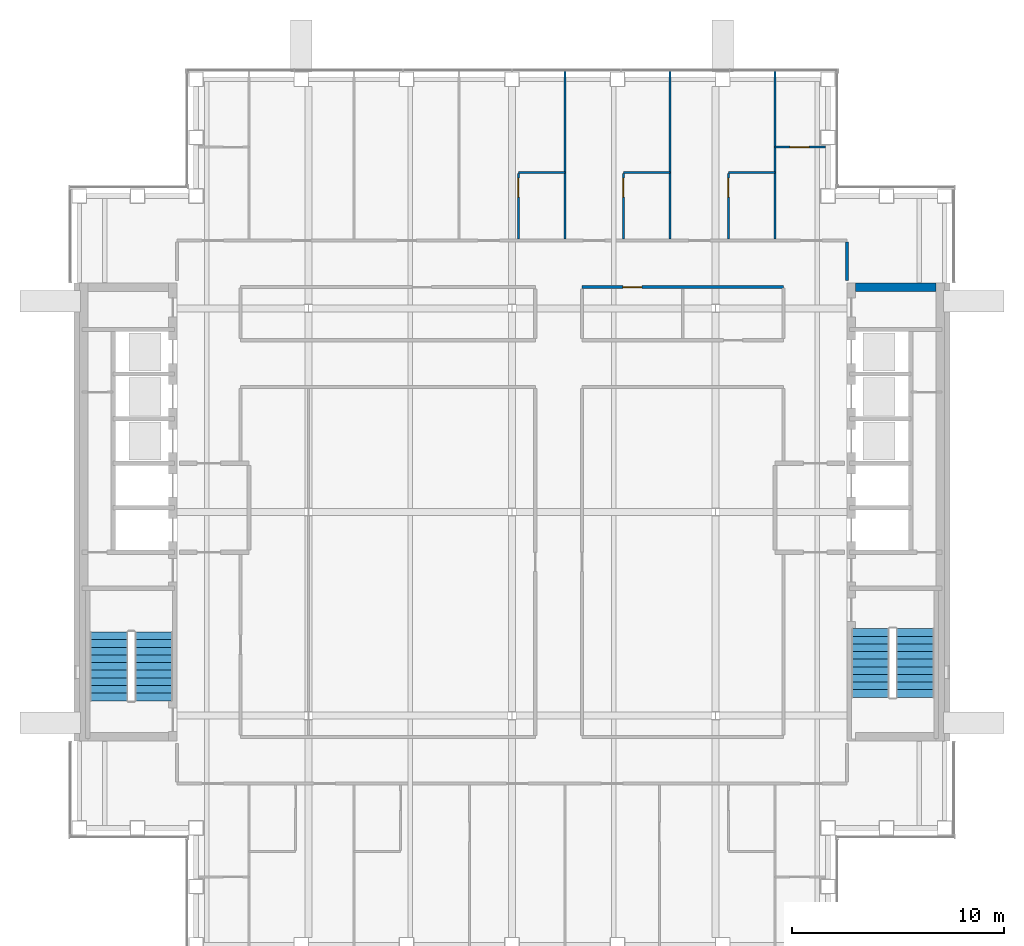
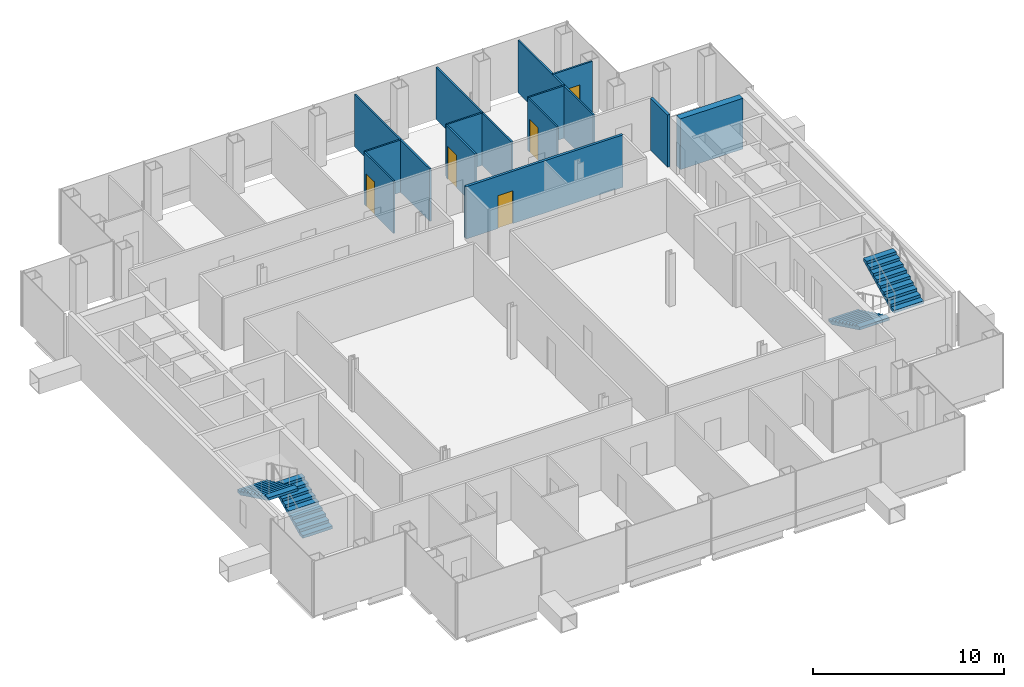
# One storey, part 12 of 14: 13 walls, 5 doors, 4 stair flights, 5 openings, 2 elements without a shape of their own.
"""IFC4 building model written with IfcOpenShell, lengths in metres."""

import ifcopenshell
import ifcopenshell.guid

model = None  # the IFC model being written
_history = None  # IfcOwnerHistory: only IFC2X3 demands one
_inside = {}  # id of a spatial element -> (the spatial element, [elements in it])
_under = {}  # id of a project, library or spatial element -> (it, [spatial elements below it])
_declared = {}  # id of a project -> (the project, [libraries it declares])
_typed = {}  # id of a type object -> (the type object, [elements of that type])
_made_of = {}  # id of a material, layer set ... -> (it, [elements and type objects made of it])


def new_model(schema):
    """Start an empty IFC model of exactly this schema.

    Asked for "IFC4X3", IfcOpenShell would pick the latest addendum, in which some entities
    have other attributes; the version numbers below select the first issue.
    IFC2X3 requires an IfcOwnerHistory on every rooted entity: one is made here for all.
    """
    global model, _history
    if schema == "IFC4X3":
        model = ifcopenshell.file(schema_version=(4, 3, 0, 0))
    else:
        model = ifcopenshell.file(schema=schema)
    _inside.clear()
    _under.clear()
    _declared.clear()
    _typed.clear()
    _made_of.clear()
    _history = None
    if model.schema == "IFC2X3":
        org = make("IfcOrganization", Name="unknown")
        user = make(
            "IfcPersonAndOrganization",
            ThePerson=make("IfcPerson", FamilyName="unknown"),
            TheOrganization=org,
        )
        app = make(
            "IfcApplication",
            ApplicationDeveloper=org,
            Version="unknown",
            ApplicationFullName="unknown",
            ApplicationIdentifier="unknown",
        )
        _history = make(
            "IfcOwnerHistory",
            OwningUser=user,
            OwningApplication=app,
            ChangeAction="ADDED",
            CreationDate=0,
        )
    return model


def make(cls, **values):
    """One entity of the class cls with the attributes given. An attribute that is None is left unset."""
    return model.create_entity(
        cls, **{name: value for name, value in values.items() if value is not None}
    )


def rooted(cls, **values):
    """An entity with a GlobalId (a new one), such as an element, a storey or a relation."""
    return make(cls, GlobalId=ifcopenshell.guid.new(), OwnerHistory=_history, **values)


def si_unit(unit_type, name, prefix=None):
    """IfcSIUnit, for example si_unit("LENGTHUNIT", "METRE", prefix="MILLI")."""
    return make("IfcSIUnit", UnitType=unit_type, Prefix=prefix, Name=name)


def assignment(units):
    """IfcUnitAssignment: the units of a project."""
    return None if units is None else make("IfcUnitAssignment", Units=units)


def point(xyz):
    """IfcCartesianPoint."""
    return None if xyz is None else make("IfcCartesianPoint", Coordinates=xyz)


def direction(xyz):
    """IfcDirection."""
    return None if xyz is None else make("IfcDirection", DirectionRatios=xyz)


def frame(location, z_axis=None, x_axis=None):
    """IfcAxis2Placement3D, a coordinate frame: its origin and axes. An axis left out is left unset."""
    return make(
        "IfcAxis2Placement3D",
        Location=point(location),
        Axis=direction(z_axis),
        RefDirection=direction(x_axis),
    )


def frame_2d(location, x_axis=None):
    """IfcAxis2Placement2D, a coordinate frame in the plane: its origin and x axis."""
    return make(
        "IfcAxis2Placement2D", Location=point(location), RefDirection=direction(x_axis)
    )


def origin():
    """The frame at (0, 0, 0) with its axes left unset."""
    return frame((0.0, 0.0, 0.0))


def place(relative_to, where):
    """IfcLocalPlacement: puts the frame where relative to a parent placement (None: the world)."""
    return make(
        "IfcLocalPlacement", PlacementRelTo=relative_to, RelativePlacement=where
    )


def context(
    kind, dimensions, precision=None, world=None, true_north=None, identifier=None
):
    """IfcGeometricRepresentationContext, for example the 3D "Model" context."""
    return make(
        "IfcGeometricRepresentationContext",
        ContextIdentifier=identifier,
        ContextType=kind,
        CoordinateSpaceDimension=dimensions,
        Precision=precision,
        WorldCoordinateSystem=world,
        TrueNorth=true_north,
    )


def subcontext(parent, identifier, kind, view, scale=None):
    """IfcGeometricRepresentationSubContext, for example "Body" below "Model"."""
    return make(
        "IfcGeometricRepresentationSubContext",
        ContextIdentifier=identifier,
        ContextType=kind,
        ParentContext=parent,
        TargetScale=scale,
        TargetView=view,
    )


def project(units=None, contexts=None):
    """IfcProject with its units and contexts."""
    return rooted(
        "IfcProject",
        Name="project",
        RepresentationContexts=contexts,
        UnitsInContext=assignment(units),
    )


def spatial(cls, under=None, at=None, **own):
    """A site, building, storey or space (cls), placed at a placement, below another one or the project."""
    s = rooted(cls, ObjectPlacement=at, **own)
    if under is not None:
        _under.setdefault(under.id(), (under, []))[1].append(s)
    return s


def polyline(points):
    """IfcPolyline through the points."""
    return make("IfcPolyline", Points=[point(p) for p in points])


def profile(cls, at=None, kind="AREA", **sizes):
    """A parametric profile (cls). Its sizes go by their IFC names, for example OverallWidth=200.0."""
    return make(cls, ProfileType=kind, Position=at, **sizes)


def rectangle(**sizes):
    """IfcRectangleProfileDef."""
    return profile("IfcRectangleProfileDef", **sizes)


def outline(outer, holes=None, kind="AREA"):
    """IfcArbitraryClosedProfileDef: a profile drawn as a closed curve; with holes, ...WithVoids."""
    if holes is None:
        return make("IfcArbitraryClosedProfileDef", ProfileType=kind, OuterCurve=outer)
    return make(
        "IfcArbitraryProfileDefWithVoids",
        ProfileType=kind,
        OuterCurve=outer,
        InnerCurves=holes,
    )


def extrude(swept, where, along, depth):
    """IfcExtrudedAreaSolid: the profile swept, set in the frame where, extruded along a direction by depth."""
    return make(
        "IfcExtrudedAreaSolid",
        SweptArea=swept,
        Position=where,
        ExtrudedDirection=direction(along),
        Depth=depth,
    )


def shape(context_of_items, identifier, shape_type, items):
    """IfcShapeRepresentation: the items that make up one representation, for example the "Body"."""
    return make(
        "IfcShapeRepresentation",
        ContextOfItems=context_of_items,
        RepresentationIdentifier=identifier,
        RepresentationType=shape_type,
        Items=items,
    )


def material(Name=None, Category=None):
    """IfcMaterial."""
    return make("IfcMaterial", Name=Name, Category=Category)


def layer(
    of_material, thickness, ventilated=None, Name=None, Category=None, Priority=None
):
    """IfcMaterialLayer: one layer of a wall or slab, of a material (None: an air gap)."""
    return make(
        "IfcMaterialLayer",
        Material=of_material,
        LayerThickness=thickness,
        IsVentilated=ventilated,
        Name=Name,
        Category=Category,
        Priority=Priority,
    )


def layer_set(layers, Name=None):
    """IfcMaterialLayerSet."""
    return make("IfcMaterialLayerSet", MaterialLayers=layers, LayerSetName=Name)


def made_of(thing, what):
    """Note that an element or type object is made of a material, layer set ...; save() writes the relation."""
    if what is not None:
        _made_of.setdefault(what.id(), (what, []))[1].append(thing)
    return thing


def type_object(cls, material=None, **own):
    """A type object (cls), such as IfcWallType, which elements share."""
    return made_of(rooted(cls, **own), material)


def element(
    cls,
    number,
    at=None,
    inside=None,
    cuts=None,
    type_object=None,
    material=None,
    context=None,
    identifier="Body",
    shape_type=None,
    held_by="IfcProductDefinitionShape",
    body=None,
    shapes=None,
    **own,
):
    """One element of the class cls, such as IfcWall. Its Tag is "e" and its number.

    at: its placement. inside: the storey or other place that contains it. cuts: it is an
    opening in that element (IfcRelVoidsElement). A single representation is given by context,
    identifier, shape_type and body (its items); several are given by shapes. held_by: the class
    of the entity that holds the representations. save() writes the other relations.
    """
    e = rooted(cls, Tag="e%d" % number, ObjectPlacement=at, **own)
    if body is not None:
        shapes = [shape(context, identifier, shape_type, body)]
    if shapes is not None:
        e.Representation = make(held_by, Representations=shapes)
    if inside is not None:
        _inside.setdefault(inside.id(), (inside, []))[1].append(e)
    if cuts is not None:
        rooted(
            "IfcRelVoidsElement", RelatingBuildingElement=cuts, RelatedOpeningElement=e
        )
    if type_object is not None:
        _typed.setdefault(type_object.id(), (type_object, []))[1].append(e)
    return made_of(e, material)


def fill(opening, filler):
    """IfcRelFillsElement: the door or window that sits in an opening."""
    return rooted(
        "IfcRelFillsElement",
        RelatingOpeningElement=opening,
        RelatedBuildingElement=filler,
    )


def aggregate(whole, parts):
    """IfcRelAggregates: a whole, such as a stair, and the parts it consists of."""
    return rooted("IfcRelAggregates", RelatingObject=whole, RelatedObjects=parts)


def save(model, path):
    """Write the relations noted so far, then the file.

    IfcRelAggregates (storeys below a building ...), IfcRelContainedInSpatialStructure (elements
    in a storey), IfcRelDefinesByType, IfcRelAssociatesMaterial and IfcRelDeclares: one each for
    every whole, place, type object, material and project.
    """
    for whole, parts in _under.values():
        aggregate(whole, parts)
    for where, things in _inside.values():
        rooted(
            "IfcRelContainedInSpatialStructure",
            RelatedElements=things,
            RelatingStructure=where,
        )
    for kind, things in _typed.values():
        rooted("IfcRelDefinesByType", RelatedObjects=things, RelatingType=kind)
    for what, things in _made_of.values():
        rooted("IfcRelAssociatesMaterial", RelatedObjects=things, RelatingMaterial=what)
    for by, libraries in _declared.values():
        rooted("IfcRelDeclares", RelatingContext=by, RelatedDefinitions=libraries)
    model.write(path)


model = new_model("IFC4")

# Units and contexts
model_context = context("Model", 3, precision=1e-05, world=origin(), true_north=direction((0.0, 1.0)))
body_context = subcontext(model_context, "Body", "Model", "MODEL_VIEW")
ifc_project = project(units=[si_unit("LENGTHUNIT", "METRE"), si_unit("AREAUNIT", "SQUARE_METRE"), si_unit("VOLUMEUNIT", "CUBIC_METRE"), si_unit("PLANEANGLEUNIT", "RADIAN"), si_unit("MASSUNIT", "GRAM", prefix="KILO")], contexts=[model_context])

# Site, building, storey
site_placement = place(None, origin())
site = spatial("IfcSite", under=ifc_project, at=site_placement, CompositionType="ELEMENT")
building_placement = place(site_placement, origin())
building = spatial("IfcBuilding", under=site, at=building_placement, Name="Cobrizo Arcos Hotel Tower", CompositionType="ELEMENT")
storey_placement = place(building_placement, frame((0.0, 0.0, 208.5)))
storey = spatial("IfcBuildingStorey", under=building, at=storey_placement, Name="L54", CompositionType="ELEMENT", Elevation=208.5)

# Wall, opening, door
ifc_material_1 = material(Name="Gypsum board partition")
ifc_layer_1 = layer(ifc_material_1, 0.14990234375)
ifc_layer_set_1 = layer_set([ifc_layer_1], Name="Corridor wall EI 60 150")
wall_type_1 = type_object("IfcWallType", Name="Corridor wall EI 60 150", PredefinedType="PARTITIONING", material=ifc_layer_set_1)
wall_1_placement = place(storey_placement, frame((3.300048828125, 10.60009765625, 0.0), z_axis=(0.0, 0.0, 1.0), x_axis=(1.0, 0.0, 0.0)))
wall_1 = element("IfcWall", 1, at=wall_1_placement, inside=storey, type_object=wall_type_1, Name="Partition 034", PredefinedType="PARTITIONING", context=body_context, shape_type="SweptSolid", body=[
    extrude(rectangle(XDim=9.5, YDim=0.14990234375, at=frame_2d((4.75, 0.0))), origin(), (0.0, 0.0, 1.0), 3.35009765625),
])
opening_1_placement = place(wall_1_placement, frame((1.925048828125, 0.0, 0.0)))
opening_1 = element("IfcOpeningElement", 2, at=opening_1_placement, cuts=wall_1, Name="Opening ED-12", PredefinedType="OPENING", context=body_context, shape_type="SweptSolid", body=[
    extrude(rectangle(XDim=0.89990234375, YDim=2.10009765625, at=frame_2d((0.449951171875, 1.050048828125))), frame((0.0, 0.0869140625, 0.0), z_axis=(0.0, -1.0, 0.0), x_axis=(1.0, 0.0, 0.0)), (0.0, 0.0, 1.0), 0.173828125),
])
ifc_material_2 = material(Name="Timber door leaf", Category="wood")
door_type = type_object("IfcDoorType", Name="En-suite door 900x2100", OperationType="SINGLE_SWING_LEFT", PredefinedType="DOOR", material=ifc_material_2)
door_1_placement = place(opening_1_placement, origin())
door_1 = element("IfcDoor", 3, at=door_1_placement, inside=storey, type_object=door_type, Name="Door ED-12", OperationType="SINGLE_SWING_RIGHT", OverallHeight=2.10009765625, OverallWidth=0.89990234375, PredefinedType="DOOR", context=body_context, shape_type="SweptSolid", body=[
    extrude(rectangle(XDim=0.89990234375, YDim=2.10009765625, at=frame_2d((0.449951171875, 1.050048828125))), frame((0.0, 0.02490234375, 0.0), z_axis=(0.0, -1.0, 0.0), x_axis=(1.0, 0.0, 0.0)), (0.0, 0.0, 1.0), 0.050048828125),
])
fill(opening_1, door_1)

# Walls
wall_2_placement = place(storey_placement, frame((15.800048828125, 10.919921875, 0.0), z_axis=(0.0, 0.0, 1.0), x_axis=(0.0, 1.0, 0.0)))
element("IfcWall", 4, at=wall_2_placement, inside=storey, type_object=wall_type_1, Name="Partition 082", PredefinedType="PARTITIONING", context=body_context, shape_type="SweptSolid", body=[
    extrude(rectangle(XDim=1.80517578125, YDim=0.14990234375, at=frame_2d((0.902587890625, 0.0))), origin(), (0.0, 0.0, 1.0), 3.35009765625),
])
ifc_layer_2 = layer(ifc_material_1, 0.10009765625)
ifc_layer_set_2 = layer_set([ifc_layer_2], Name="Partition EI 30 100")
wall_type_2 = type_object("IfcWallType", Name="Partition EI 30 100", PredefinedType="PARTITIONING", material=ifc_layer_set_2)
for number, where, z_axis, x_axis, name in (
    (5, (0.300048828125, 16.0, 0.0), (0.0, 0.0, 1.0), (1.0, 0.0, 0.0), "Partition 036"),
    (6, (5.25, 16.0, 0.0), (0.0, 0.0, 1.0), (1.0, 0.0, 0.0), "Partition 037"),
    (7, (10.199951171875, 16.0, 0.0), (0.0, 0.0, 1.0), (1.0, 0.0, 0.0), "Partition 038"),
):
    element("IfcWall", number, at=place(storey_placement, frame(where, z_axis=z_axis, x_axis=x_axis)), inside=storey, type_object=wall_type_2, Name=name, PredefinedType="PARTITIONING", context=body_context, shape_type="SweptSolid", body=[
        extrude(rectangle(XDim=2.199951171875, YDim=0.10009765625, at=frame_2d((1.10009765625, 0.0))), origin(), (0.0, 0.0, 1.0), 3.35009765625),
    ])

# Wall, opening, door
wall_3_placement = place(storey_placement, frame((12.39990234375, 17.199951171875, 0.0), z_axis=(0.0, 0.0, 1.0), x_axis=(1.0, 0.0, 0.0)))
wall_3 = element("IfcWall", 8, at=wall_3_placement, inside=storey, type_object=wall_type_2, Name="Partition 040", PredefinedType="PARTITIONING", context=body_context, shape_type="SweptSolid", body=[
    extrude(rectangle(XDim=2.380126953125, YDim=0.10009765625, at=frame_2d((1.18994140625, 0.0))), origin(), (0.0, 0.0, 1.0), 3.35009765625),
])
opening_2_placement = place(wall_3_placement, frame((0.705078125, 0.0, 0.0)))
opening_2 = element("IfcOpeningElement", 9, at=opening_2_placement, cuts=wall_3, Name="Opening ED-11", PredefinedType="OPENING", context=body_context, shape_type="SweptSolid", body=[
    extrude(rectangle(XDim=0.89990234375, YDim=2.10009765625, at=frame_2d((0.449951171875, 1.050048828125))), frame((0.0, 0.06201171875, 0.0), z_axis=(0.0, -1.0, 0.0), x_axis=(1.0, 0.0, 0.0)), (0.0, 0.0, 1.0), 0.1240234375),
])
door_2_placement = place(opening_2_placement, origin())
door_2 = element("IfcDoor", 10, at=door_2_placement, inside=storey, type_object=door_type, Name="Door ED-11", OperationType="SINGLE_SWING_LEFT", OverallHeight=2.10009765625, OverallWidth=0.89990234375, PredefinedType="DOOR", context=body_context, shape_type="SweptSolid", body=[
    extrude(rectangle(XDim=0.89990234375, YDim=2.10009765625, at=frame_2d((0.449951171875, 1.050048828125))), frame((0.0, 0.02490234375, 0.0), z_axis=(0.0, -1.0, 0.0), x_axis=(1.0, 0.0, 0.0)), (0.0, 0.0, 1.0), 0.050048828125),
])
fill(opening_2, door_2)

wall_4_placement = place(storey_placement, frame((0.300048828125, 12.875, 0.0), z_axis=(0.0, 0.0, 1.0), x_axis=(0.0, 1.0, 0.0)))
wall_4 = element("IfcWall", 11, at=wall_4_placement, inside=storey, type_object=wall_type_2, Name="Partition 062", PredefinedType="PARTITIONING", context=body_context, shape_type="SweptSolid", body=[
    extrude(rectangle(XDim=3.074951171875, YDim=0.10009765625, at=frame_2d((1.53759765625, 0.0))), origin(), (0.0, 0.0, 1.0), 3.35009765625),
])
opening_3_placement = place(wall_4_placement, frame((1.970947265625, 0.0, 0.0)))
opening_3 = element("IfcOpeningElement", 12, at=opening_3_placement, cuts=wall_4, Name="Opening ED-02", PredefinedType="OPENING", context=body_context, shape_type="SweptSolid", body=[
    extrude(rectangle(XDim=0.89990234375, YDim=2.10009765625, at=frame_2d((0.449951171875, 1.050048828125))), frame((0.0, 0.06201171875, 0.0), z_axis=(0.0, -1.0, 0.0), x_axis=(1.0, 0.0, 0.0)), (0.0, 0.0, 1.0), 0.1240234375),
])
door_3_placement = place(opening_3_placement, origin())
door_3 = element("IfcDoor", 13, at=door_3_placement, inside=storey, type_object=door_type, Name="Door ED-02", OperationType="SINGLE_SWING_LEFT", OverallHeight=2.10009765625, OverallWidth=0.89990234375, PredefinedType="DOOR", context=body_context, shape_type="SweptSolid", body=[
    extrude(rectangle(XDim=0.89990234375, YDim=2.10009765625, at=frame_2d((0.449951171875, 1.050048828125))), frame((0.0, 0.02490234375, 0.0), z_axis=(0.0, -1.0, 0.0), x_axis=(1.0, 0.0, 0.0)), (0.0, 0.0, 1.0), 0.050048828125),
])
fill(opening_3, door_3)

# Wall
wall_5_placement = place(storey_placement, frame((2.5, 12.875, 0.0), z_axis=(0.0, 0.0, 1.0), x_axis=(0.0, 1.0, 0.0)))
element("IfcWall", 14, at=wall_5_placement, inside=storey, type_object=wall_type_2, Name="Partition 066", PredefinedType="PARTITIONING", context=body_context, shape_type="SweptSolid", body=[
    extrude(rectangle(XDim=7.905029296875, YDim=0.10009765625, at=frame_2d((3.95263671875, 0.0))), origin(), (0.0, 0.0, 1.0), 3.35009765625),
])

# Wall, opening, door
wall_6_placement = place(storey_placement, frame((5.25, 12.875, 0.0), z_axis=(0.0, 0.0, 1.0), x_axis=(0.0, 1.0, 0.0)))
wall_6 = element("IfcWall", 15, at=wall_6_placement, inside=storey, type_object=wall_type_2, Name="Partition 069", PredefinedType="PARTITIONING", context=body_context, shape_type="SweptSolid", body=[
    extrude(rectangle(XDim=3.074951171875, YDim=0.10009765625, at=frame_2d((1.53759765625, 0.0))), origin(), (0.0, 0.0, 1.0), 3.35009765625),
])
opening_4_placement = place(wall_6_placement, frame((1.970947265625, 0.0, 0.0)))
opening_4 = element("IfcOpeningElement", 16, at=opening_4_placement, cuts=wall_6, Name="Opening ED-03", PredefinedType="OPENING", context=body_context, shape_type="SweptSolid", body=[
    extrude(rectangle(XDim=0.89990234375, YDim=2.10009765625, at=frame_2d((0.449951171875, 1.050048828125))), frame((0.0, 0.06201171875, 0.0), z_axis=(0.0, -1.0, 0.0), x_axis=(1.0, 0.0, 0.0)), (0.0, 0.0, 1.0), 0.1240234375),
])
door_4_placement = place(opening_4_placement, origin())
door_4 = element("IfcDoor", 17, at=door_4_placement, inside=storey, type_object=door_type, Name="Door ED-03", OperationType="SINGLE_SWING_RIGHT", OverallHeight=2.10009765625, OverallWidth=0.89990234375, PredefinedType="DOOR", context=body_context, shape_type="SweptSolid", body=[
    extrude(rectangle(XDim=0.89990234375, YDim=2.10009765625, at=frame_2d((0.449951171875, 1.050048828125))), frame((0.0, 0.02490234375, 0.0), z_axis=(0.0, -1.0, 0.0), x_axis=(1.0, 0.0, 0.0)), (0.0, 0.0, 1.0), 0.050048828125),
])
fill(opening_4, door_4)

# Wall
wall_7_placement = place(storey_placement, frame((7.449951171875, 12.875, 0.0), z_axis=(0.0, 0.0, 1.0), x_axis=(0.0, 1.0, 0.0)))
element("IfcWall", 18, at=wall_7_placement, inside=storey, type_object=wall_type_2, Name="Partition 071", PredefinedType="PARTITIONING", context=body_context, shape_type="SweptSolid", body=[
    extrude(rectangle(XDim=7.905029296875, YDim=0.10009765625, at=frame_2d((3.95263671875, 0.0))), origin(), (0.0, 0.0, 1.0), 3.35009765625),
])

# Wall, opening, door
wall_8_placement = place(storey_placement, frame((10.199951171875, 12.875, 0.0), z_axis=(0.0, 0.0, 1.0), x_axis=(0.0, 1.0, 0.0)))
wall_8 = element("IfcWall", 19, at=wall_8_placement, inside=storey, type_object=wall_type_2, Name="Partition 074", PredefinedType="PARTITIONING", context=body_context, shape_type="SweptSolid", body=[
    extrude(rectangle(XDim=3.074951171875, YDim=0.10009765625, at=frame_2d((1.53759765625, 0.0))), origin(), (0.0, 0.0, 1.0), 3.35009765625),
])
opening_5_placement = place(wall_8_placement, frame((1.970947265625, 0.0, 0.0)))
opening_5 = element("IfcOpeningElement", 20, at=opening_5_placement, cuts=wall_8, Name="Opening ED-04", PredefinedType="OPENING", context=body_context, shape_type="SweptSolid", body=[
    extrude(rectangle(XDim=0.89990234375, YDim=2.10009765625, at=frame_2d((0.449951171875, 1.050048828125))), frame((0.0, 0.06201171875, 0.0), z_axis=(0.0, -1.0, 0.0), x_axis=(1.0, 0.0, 0.0)), (0.0, 0.0, 1.0), 0.1240234375),
])
door_5_placement = place(opening_5_placement, origin())
door_5 = element("IfcDoor", 21, at=door_5_placement, inside=storey, type_object=door_type, Name="Door ED-04", OperationType="SINGLE_SWING_LEFT", OverallHeight=2.10009765625, OverallWidth=0.89990234375, PredefinedType="DOOR", context=body_context, shape_type="SweptSolid", body=[
    extrude(rectangle(XDim=0.89990234375, YDim=2.10009765625, at=frame_2d((0.449951171875, 1.050048828125))), frame((0.0, 0.02490234375, 0.0), z_axis=(0.0, -1.0, 0.0), x_axis=(1.0, 0.0, 0.0)), (0.0, 0.0, 1.0), 0.050048828125),
])
fill(opening_5, door_5)

# Walls
wall_9_placement = place(storey_placement, frame((12.39990234375, 12.875, 0.0), z_axis=(0.0, 0.0, 1.0), x_axis=(0.0, 1.0, 0.0)))
element("IfcWall", 22, at=wall_9_placement, inside=storey, type_object=wall_type_2, Name="Partition 077", PredefinedType="PARTITIONING", context=body_context, shape_type="SweptSolid", body=[
    extrude(rectangle(XDim=7.905029296875, YDim=0.10009765625, at=frame_2d((3.95263671875, 0.0))), origin(), (0.0, 0.0, 1.0), 3.35009765625),
])
ifc_material_3 = material(Name="Concrete f'c 40 MPa", Category="concrete")
ifc_layer_3 = layer(ifc_material_3, 0.39990234375)
ifc_layer_set_3 = layer_set([ifc_layer_3], Name="RC core wall 400 f'c 40")
wall_type_3 = type_object("IfcWallType", Name="RC core wall 400 f'c 40", PredefinedType="SHEAR", material=ifc_layer_set_3)
wall_10_placement = place(storey_placement, frame((16.199951171875, 10.60009765625, 0.0), z_axis=(0.0, 0.0, 1.0), x_axis=(1.0, 0.0, 0.0)))
element("IfcWall", 23, at=wall_10_placement, inside=storey, type_object=wall_type_3, Name="Core wall CW4, east core, north end, L54", PredefinedType="SHEAR", context=body_context, shape_type="SweptSolid", body=[
    extrude(rectangle(XDim=3.800048828125, YDim=0.39990234375, at=frame_2d((1.89990234375, 0.0))), origin(), (0.0, 0.0, 1.0), 3.25),
])

# Stair, stair flights
stair_type = type_object("IfcStairType", Name="Exit stair", PredefinedType="HALF_TURN_STAIR", material=ifc_material_3)
stair_1_placement = place(storey_placement, origin())
stair_1 = element("IfcStair", 24, at=stair_1_placement, inside=storey, type_object=stair_type, Name="L54 Exit stair ST-W", PredefinedType="HALF_TURN_STAIR")
stair_flight_type = type_object("IfcStairFlightType", Name="Exit stair flight", PredefinedType="STRAIGHT", material=ifc_material_3)
stair_flight_1_placement = place(storey_placement, frame((-16.89990234375, -8.89990234375, 0.0), z_axis=(0.0, 0.0, 1.0), x_axis=(0.0, 1.0, 0.0)))
stair_flight_1 = element("IfcStairFlight", 25, at=stair_flight_1_placement, type_object=stair_flight_type, Name="ST-W flight 1", NumberOfRisers=10, NumberOfTreads=9, PredefinedType="STRAIGHT", RiserHeight=0.175, TreadLength=0.36, context=body_context, shape_type="SweptSolid", body=[
    extrude(outline(polyline([(0.0, 0.0), (0.0, 0.175048828125), (0.360107421875, 0.175048828125), (0.360107421875, 0.35009765625), (0.719970703125, 0.35009765625), (0.719970703125, 0.52490234375), (1.080078125, 0.52490234375), (1.080078125, 0.699951171875), (1.43994140625, 0.699951171875), (1.43994140625, 0.875), (1.800048828125, 0.875), (1.800048828125, 1.050048828125), (2.159912109375, 1.050048828125), (2.159912109375, 1.22509765625), (2.52001953125, 1.22509765625), (2.52001953125, 1.39990234375), (2.8798828125, 1.39990234375), (2.8798828125, 1.574951171875), (3.239990234375, 1.574951171875), (3.239990234375, 1.75), (3.239990234375, 1.408203125), (0.3427734375, 0.0), (0.0, 0.0)])), frame((0.0, 0.89990234375, 0.0), z_axis=(0.0, -1.0, 0.0), x_axis=(1.0, 0.0, 0.0)), (0.0, 0.0, 1.0), 1.800048828125),
])
stair_flight_2_placement = place(storey_placement, frame((-19.0, -5.659912109375, 1.75), z_axis=(0.0, 0.0, 1.0), x_axis=(0.0, -1.0, 0.0)))
stair_flight_2 = element("IfcStairFlight", 26, at=stair_flight_2_placement, type_object=stair_flight_type, Name="ST-W flight 2", NumberOfRisers=10, NumberOfTreads=9, PredefinedType="STRAIGHT", RiserHeight=0.175, TreadLength=0.36, context=body_context, shape_type="SweptSolid", body=[
    extrude(outline(polyline([(0.0, 0.0), (0.0, 0.175048828125), (0.360107421875, 0.175048828125), (0.360107421875, 0.35009765625), (0.719970703125, 0.35009765625), (0.719970703125, 0.52490234375), (1.080078125, 0.52490234375), (1.080078125, 0.699951171875), (1.43994140625, 0.699951171875), (1.43994140625, 0.875), (1.800048828125, 0.875), (1.800048828125, 1.050048828125), (2.159912109375, 1.050048828125), (2.159912109375, 1.22509765625), (2.52001953125, 1.22509765625), (2.52001953125, 1.39990234375), (2.8798828125, 1.39990234375), (2.8798828125, 1.574951171875), (3.239990234375, 1.574951171875), (3.239990234375, 1.75), (3.239990234375, 1.408203125), (0.3427734375, 0.0), (0.0, 0.0)])), frame((0.0, 0.89990234375, 0.0), z_axis=(0.0, -1.0, 0.0), x_axis=(1.0, 0.0, 0.0)), (0.0, 0.0, 1.0), 1.800048828125),
])
aggregate(stair_1, [stair_flight_1, stair_flight_2])

stair_2_placement = place(storey_placement, origin())
stair_2 = element("IfcStair", 27, at=stair_2_placement, inside=storey, type_object=stair_type, Name="L54 Exit stair ST-E", PredefinedType="HALF_TURN_STAIR")
stair_flight_3_placement = place(storey_placement, frame((16.89990234375, -5.5, 0.0), z_axis=(0.0, 0.0, 1.0), x_axis=(0.0, -1.0, 0.0)))
stair_flight_3 = element("IfcStairFlight", 28, at=stair_flight_3_placement, type_object=stair_flight_type, Name="ST-E flight 1", NumberOfRisers=10, NumberOfTreads=9, PredefinedType="STRAIGHT", RiserHeight=0.175, TreadLength=0.36, context=body_context, shape_type="SweptSolid", body=[
    extrude(outline(polyline([(0.0, 0.0), (0.0, 0.175048828125), (0.360107421875, 0.175048828125), (0.360107421875, 0.35009765625), (0.719970703125, 0.35009765625), (0.719970703125, 0.52490234375), (1.080078125, 0.52490234375), (1.080078125, 0.699951171875), (1.43994140625, 0.699951171875), (1.43994140625, 0.875), (1.800048828125, 0.875), (1.800048828125, 1.050048828125), (2.159912109375, 1.050048828125), (2.159912109375, 1.22509765625), (2.52001953125, 1.22509765625), (2.52001953125, 1.39990234375), (2.8798828125, 1.39990234375), (2.8798828125, 1.574951171875), (3.239990234375, 1.574951171875), (3.239990234375, 1.75), (3.239990234375, 1.408203125), (0.3427734375, 0.0), (0.0, 0.0)])), frame((0.0, 0.89990234375, 0.0), z_axis=(0.0, -1.0, 0.0), x_axis=(1.0, 0.0, 0.0)), (0.0, 0.0, 1.0), 1.800048828125),
])
stair_flight_4_placement = place(storey_placement, frame((19.0, -8.739990234375, 1.75), z_axis=(0.0, 0.0, 1.0), x_axis=(0.0, 1.0, 0.0)))
stair_flight_4 = element("IfcStairFlight", 29, at=stair_flight_4_placement, type_object=stair_flight_type, Name="ST-E flight 2", NumberOfRisers=10, NumberOfTreads=9, PredefinedType="STRAIGHT", RiserHeight=0.175, TreadLength=0.36, context=body_context, shape_type="SweptSolid", body=[
    extrude(outline(polyline([(0.0, 0.0), (0.0, 0.175048828125), (0.360107421875, 0.175048828125), (0.360107421875, 0.35009765625), (0.719970703125, 0.35009765625), (0.719970703125, 0.52490234375), (1.080078125, 0.52490234375), (1.080078125, 0.699951171875), (1.43994140625, 0.699951171875), (1.43994140625, 0.875), (1.800048828125, 0.875), (1.800048828125, 1.050048828125), (2.159912109375, 1.050048828125), (2.159912109375, 1.22509765625), (2.52001953125, 1.22509765625), (2.52001953125, 1.39990234375), (2.8798828125, 1.39990234375), (2.8798828125, 1.574951171875), (3.239990234375, 1.574951171875), (3.239990234375, 1.75), (3.239990234375, 1.408203125), (0.3427734375, 0.0), (0.0, 0.0)])), frame((0.0, 0.89990234375, 0.0), z_axis=(0.0, -1.0, 0.0), x_axis=(1.0, 0.0, 0.0)), (0.0, 0.0, 1.0), 1.800048828125),
])
aggregate(stair_2, [stair_flight_3, stair_flight_4])

save(model, "model.ifc")
